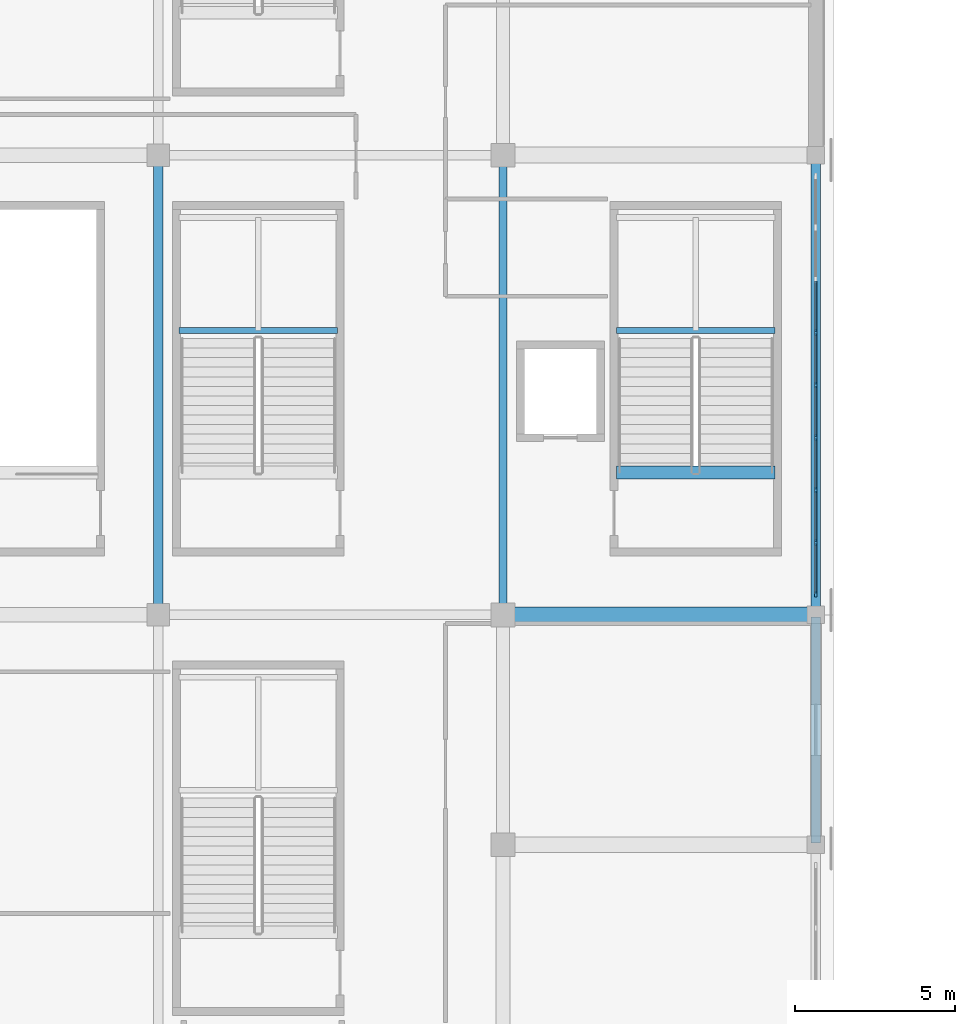
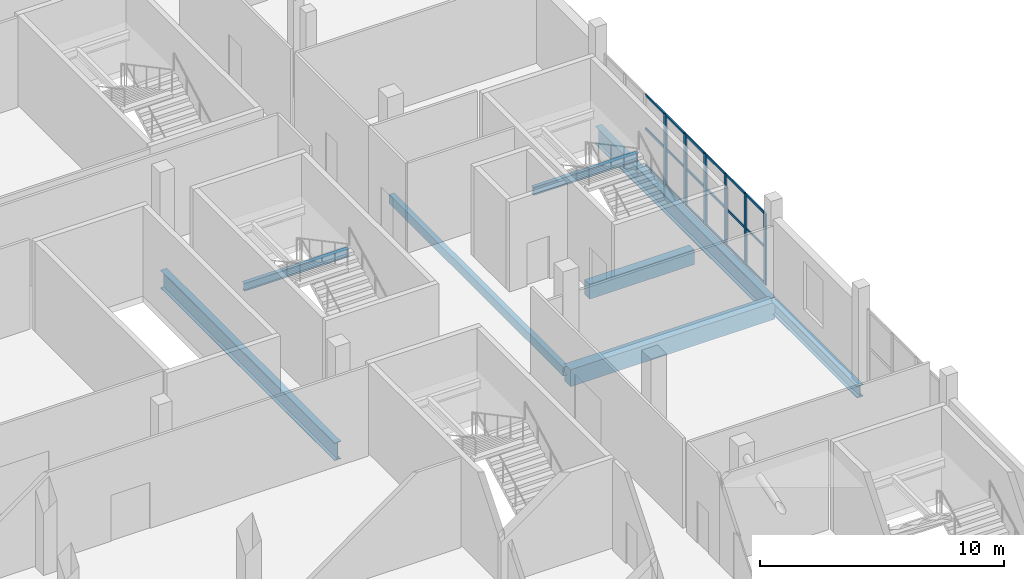
# One storey, part 40 of 129: 24 members, 8 beams, 1 element without a shape of its own.
"""IFC4 building model written with IfcOpenShell, lengths in metres."""

from ifc_helpers import new_model, si_unit, direction, frame, origin, origin_2d, place, context, subcontext, project, spatial, rectangle, hollow_rectangle, i_section, extrude, material, material_profile, profile_set, type_object, element, aggregate, save


model = new_model("IFC4")

# Units and contexts
model_context = context("Model", 3, precision=1e-05, world=origin(), true_north=direction((0.0, 1.0)))
body_context = subcontext(model_context, "Body", "Model", "MODEL_VIEW")
ifc_project = project(units=[si_unit("LENGTHUNIT", "METRE"), si_unit("AREAUNIT", "SQUARE_METRE"), si_unit("VOLUMEUNIT", "CUBIC_METRE"), si_unit("PLANEANGLEUNIT", "RADIAN"), si_unit("MASSUNIT", "GRAM", prefix="KILO")], contexts=[model_context])

# Site, building, storey
site_placement = place(None, origin())
site = spatial("IfcSite", under=ifc_project, at=site_placement, CompositionType="ELEMENT")
building_placement = place(site_placement, origin())
building = spatial("IfcBuilding", under=site, at=building_placement, Name="Koshinbarg Plaza Stadium", CompositionType="ELEMENT")
storey_placement = place(building_placement, frame((0.0, 0.0, 5.39990234375)))
storey = spatial("IfcBuildingStorey", under=building, at=storey_placement, Name="L01", CompositionType="ELEMENT", Elevation=5.39990234375)

# Beams
ifc_material_1 = material(Name="Concrete C40/50", Category="concrete")
ifc_material_profile_1 = material_profile(ifc_material_1, rectangle(XDim=0.39990234375, YDim=0.75, at=origin_2d()), Name="RC 400x750")
ifc_profile_set_1 = profile_set([ifc_material_profile_1], Name="Concrete C40/50")
beam_type_1 = type_object("IfcBeamType", Name="BM-RCG-03", PredefinedType="USERDEFINED", material=ifc_profile_set_1)
beam_1_placement = place(storey_placement, frame((212.14990234375, 58.760009765625, -0.375), z_axis=(1.0, 0.0, 0.0), x_axis=(0.0, 1.0, 0.0)))
element("IfcBeam", 1, at=beam_1_placement, inside=storey, type_object=beam_type_1, Name="L01 stair landing header beam C08", ObjectType="GIRDER", PredefinedType="USERDEFINED", context=body_context, shape_type="SweptSolid", body=[
    extrude(rectangle(XDim=0.39990234375, YDim=0.75, at=origin_2d()), origin(), (0.0, 0.0, 1.0), 4.97021484375),
])
ifc_material_profile_2 = material_profile(ifc_material_1, rectangle(XDim=0.5, YDim=0.85009765625, at=origin_2d()), Name="RC 500x850")
ifc_profile_set_2 = profile_set([ifc_material_profile_2], Name="Concrete C40/50")
beam_type_2 = type_object("IfcBeamType", Name="BM-RCG-05", PredefinedType="USERDEFINED", material=ifc_profile_set_2)
beam_2_placement = place(storey_placement, frame((208.659912109375, 54.300048828125, -0.744873046875), z_axis=(1.0, 0.0, 0.0), x_axis=(0.0, 1.0, 0.0)))
element("IfcBeam", 2, at=beam_2_placement, inside=storey, type_object=beam_type_2, Name="L01 X girder H/20-21", ObjectType="GIRDER", PredefinedType="USERDEFINED", context=body_context, shape_type="SweptSolid", body=[
    extrude(rectangle(XDim=0.5, YDim=0.85009765625, at=origin_2d()), origin(), (0.0, 0.0, 1.0), 9.68017578125),
])
ifc_material_2 = material(Name="Steel S355", Category="steel")
ifc_material_profile_3 = material_profile(ifc_material_2, i_section(OverallWidth=0.179931640625, OverallDepth=0.39990234375, WebThickness=0.008544921875, FlangeThickness=0.013427734375, at=origin_2d()), Name="IPE 400")
ifc_profile_set_3 = profile_set([ifc_material_profile_3], Name="Steel S355")
beam_type_3 = type_object("IfcBeamType", Name="BM-SBM-01", PredefinedType="BEAM", material=ifc_profile_set_3)
beam_3_placement = place(storey_placement, frame((212.14990234375, 63.2099609375, 1.880126953125), z_axis=(1.0, 0.0, 0.0), x_axis=(0.0, 1.0, 0.0)))
element("IfcBeam", 3, at=beam_3_placement, inside=storey, type_object=beam_type_3, Name="L01 Protected Exit Stair C08 landing trimmer beam 1", PredefinedType="BEAM", context=body_context, shape_type="SweptSolid", body=[
    extrude(i_section(OverallWidth=0.179931640625, OverallDepth=0.39990234375, WebThickness=0.008544921875, FlangeThickness=0.013427734375, at=origin_2d()), origin(), (0.0, 0.0, 1.0), 4.97021484375),
])
beam_4_placement = place(storey_placement, frame((198.449951171875, 63.2099609375, 1.880126953125), z_axis=(1.0, 0.0, 0.0), x_axis=(0.0, 1.0, 0.0)))
element("IfcBeam", 4, at=beam_4_placement, inside=storey, type_object=beam_type_3, Name="L01 Upper Vomitory Stair VX09 landing trimmer beam 1", PredefinedType="BEAM", context=body_context, shape_type="SweptSolid", body=[
    extrude(i_section(OverallWidth=0.179931640625, OverallDepth=0.39990234375, WebThickness=0.008544921875, FlangeThickness=0.013427734375, at=origin_2d()), origin(), (0.0, 0.0, 1.0), 4.969970703125),
])
ifc_material_profile_4 = material_profile(ifc_material_2, i_section(OverallWidth=0.300048828125, OverallDepth=0.60009765625, WebThickness=0.015380859375, FlangeThickness=0.030029296875, at=origin_2d()), Name="HEB 600")
ifc_profile_set_4 = profile_set([ifc_material_profile_4], Name="Steel S355")
beam_type_4 = type_object("IfcBeamType", Name="BM-SGIR-02", PredefinedType="USERDEFINED", material=ifc_profile_set_4)
beam_5_placement = place(storey_placement, frame((218.39990234375, 47.159912109375, -0.619873046875), z_axis=(0.0, 1.0, 0.0), x_axis=(-1.0, 0.0, 0.0)))
element("IfcBeam", 5, at=beam_5_placement, inside=storey, type_object=beam_type_4, Name="L01 Y girder 21/G-H", ObjectType="GIRDER", PredefinedType="USERDEFINED", context=body_context, shape_type="SweptSolid", body=[
    extrude(i_section(OverallWidth=0.300048828125, OverallDepth=0.60009765625, WebThickness=0.015380859375, FlangeThickness=0.030029296875, at=origin_2d()), origin(), (0.0, 0.0, 1.0), 7.080078125),
])
ifc_material_profile_5 = material_profile(ifc_material_2, i_section(OverallWidth=0.300048828125, OverallDepth=0.89990234375, WebThickness=0.0185546875, FlangeThickness=0.034912109375, at=origin_2d()), Name="HEB 900")
ifc_profile_set_5 = profile_set([ifc_material_profile_5], Name="Steel S355")
beam_type_5 = type_object("IfcBeamType", Name="BM-SGIR-05", PredefinedType="USERDEFINED", material=ifc_profile_set_5)
for number, where, z_axis, x_axis, name in (
    (6, (197.800048828125, 54.360107421875, -0.77001953125), (0.0, 1.0, 0.0), (-1.0, 0.0, 0.0), "L01 Y girder 19/H-J"),
    (7, (218.39990234375, 54.360107421875, -0.77001953125), (0.0, 1.0, 0.0), (-1.0, 0.0, 0.0), "L01 Y girder 21/H-J"),
):
    element("IfcBeam", number, at=place(storey_placement, frame(where, z_axis=z_axis, x_axis=x_axis)), inside=storey, type_object=beam_type_5, Name=name, ObjectType="GIRDER", PredefinedType="USERDEFINED", context=body_context, shape_type="SweptSolid", body=[
        extrude(i_section(OverallWidth=0.300048828125, OverallDepth=0.89990234375, WebThickness=0.0185546875, FlangeThickness=0.034912109375, at=origin_2d()), origin(), (0.0, 0.0, 1.0), 14.27978515625),
    ])
ifc_material_profile_6 = material_profile(ifc_material_2, hollow_rectangle(XDim=0.25, YDim=0.449951171875, WallThickness=0.01611328125, at=origin_2d()), Name="RHS 450x250x16")
ifc_profile_set_6 = profile_set([ifc_material_profile_6], Name="Steel S355")
beam_type_6 = type_object("IfcBeamType", Name="BM-SGIR-06", PredefinedType="USERDEFINED", material=ifc_profile_set_6)
beam_6_placement = place(storey_placement, frame((208.60009765625, 54.360107421875, -0.544921875), z_axis=(0.0, 1.0, 0.0), x_axis=(-1.0, 0.0, 0.0)))
element("IfcBeam", 8, at=beam_6_placement, inside=storey, type_object=beam_type_6, Name="L01 Y girder 20/H-J", ObjectType="GIRDER", PredefinedType="USERDEFINED", context=body_context, shape_type="SweptSolid", body=[
    extrude(hollow_rectangle(XDim=0.25, YDim=0.449951171875, WallThickness=0.01611328125, at=origin_2d()), origin(), (0.0, 0.0, 1.0), 14.27978515625),
])

# Curtain wall, members
ifc_material_3 = material(Name="Thermally broken anodised aluminium and low-E double glazing", Category="aluminium")
curtain_wall_type = type_object("IfcCurtainWallType", Name="CW-SYS-07", PredefinedType="NOTDEFINED", material=ifc_material_3)
curtain_wall_placement = place(storey_placement, origin())
curtain_wall = element("IfcCurtainWall", 9, at=curtain_wall_placement, inside=storey, type_object=curtain_wall_type, Name="L01 unitised curtain wall CW-L01-022", PredefinedType="NOTDEFINED")
ifc_material_4 = material(Name="Anodised aluminium mullion", Category="aluminium")
ifc_material_profile_7 = material_profile(ifc_material_4, rectangle(XDim=0.070068359375, YDim=0.179931640625, at=origin_2d()), Name="ALU 70x180")
ifc_profile_set_7 = profile_set([ifc_material_profile_7], Name="Anodised aluminium mullion")
member_type_1 = type_object("IfcMemberType", Name="CW-MUL-03", PredefinedType="MULLION", material=ifc_profile_set_7)
member_1_placement = place(storey_placement, frame((218.39990234375, 63.14501953125, 0.0), z_axis=(0.0, 0.0, 1.0), x_axis=(1.0, 0.0, 0.0)))
member_1 = element("IfcMember", 10, at=member_1_placement, type_object=member_type_1, Name="CW07 mullion 4", PredefinedType="MULLION", context=body_context, shape_type="SweptSolid", body=[
    extrude(rectangle(XDim=0.070068359375, YDim=0.179931640625, at=origin_2d()), origin(), (0.0, 0.0, 1.0), 3.580078125),
])
member_2_placement = place(storey_placement, frame((218.39990234375, 61.5, 0.0), z_axis=(0.0, 0.0, 1.0), x_axis=(1.0, 0.0, 0.0)))
member_2 = element("IfcMember", 11, at=member_2_placement, type_object=member_type_1, Name="CW07 mullion 5", PredefinedType="MULLION", context=body_context, shape_type="SweptSolid", body=[
    extrude(rectangle(XDim=0.070068359375, YDim=0.179931640625, at=origin_2d()), origin(), (0.0, 0.0, 1.0), 3.580078125),
])
member_3_placement = place(storey_placement, frame((218.39990234375, 59.85498046875, 0.0), z_axis=(0.0, 0.0, 1.0), x_axis=(1.0, 0.0, 0.0)))
member_3 = element("IfcMember", 12, at=member_3_placement, type_object=member_type_1, Name="CW07 mullion 6", PredefinedType="MULLION", context=body_context, shape_type="SweptSolid", body=[
    extrude(rectangle(XDim=0.070068359375, YDim=0.179931640625, at=origin_2d()), origin(), (0.0, 0.0, 1.0), 3.580078125),
])
member_4_placement = place(storey_placement, frame((218.39990234375, 58.2099609375, 0.0), z_axis=(0.0, 0.0, 1.0), x_axis=(1.0, 0.0, 0.0)))
member_4 = element("IfcMember", 13, at=member_4_placement, type_object=member_type_1, Name="CW07 mullion 7", PredefinedType="MULLION", context=body_context, shape_type="SweptSolid", body=[
    extrude(rectangle(XDim=0.070068359375, YDim=0.179931640625, at=origin_2d()), origin(), (0.0, 0.0, 1.0), 3.580078125),
])
member_5_placement = place(storey_placement, frame((218.39990234375, 56.56494140625, 0.0), z_axis=(0.0, 0.0, 1.0), x_axis=(1.0, 0.0, 0.0)))
member_5 = element("IfcMember", 14, at=member_5_placement, type_object=member_type_1, Name="CW07 mullion 8", PredefinedType="MULLION", context=body_context, shape_type="SweptSolid", body=[
    extrude(rectangle(XDim=0.070068359375, YDim=0.179931640625, at=origin_2d()), origin(), (0.0, 0.0, 1.0), 3.580078125),
])
member_6_placement = place(storey_placement, frame((218.39990234375, 54.949951171875, 0.0), z_axis=(0.0, 0.0, 1.0), x_axis=(1.0, 0.0, 0.0)))
member_6 = element("IfcMember", 15, at=member_6_placement, type_object=member_type_1, Name="CW07 mullion 9", PredefinedType="MULLION", context=body_context, shape_type="SweptSolid", body=[
    extrude(rectangle(XDim=0.070068359375, YDim=0.179931640625, at=origin_2d()), origin(), (0.0, 0.0, 1.0), 3.580078125),
])
ifc_material_5 = material(Name="Anodised aluminium transom", Category="aluminium")
ifc_material_profile_8 = material_profile(ifc_material_5, rectangle(XDim=0.06005859375, YDim=0.110107421875, at=origin_2d()), Name="ALU 60x110")
ifc_profile_set_8 = profile_set([ifc_material_profile_8], Name="Anodised aluminium transom")
member_type_2 = type_object("IfcMemberType", Name="CW-TRN-01", PredefinedType="USERDEFINED", material=ifc_profile_set_8)
member_7_placement = place(storey_placement, frame((218.39990234375, 64.760009765625, 0.030029296875), z_axis=(0.0, -1.0, 0.0), x_axis=(1.0, 0.0, 0.0)))
member_7 = element("IfcMember", 16, at=member_7_placement, type_object=member_type_2, Name="CW07 transom 3.1", ObjectType="TRANSOM", PredefinedType="USERDEFINED", context=body_context, shape_type="SweptSolid", body=[
    extrude(rectangle(XDim=0.06005859375, YDim=0.110107421875, at=origin_2d()), origin(), (0.0, 0.0, 1.0), 1.5849609375),
])
member_8_placement = place(storey_placement, frame((218.39990234375, 64.760009765625, 1.86181640625), z_axis=(0.0, -1.0, 0.0), x_axis=(1.0, 0.0, 0.0)))
member_8 = element("IfcMember", 17, at=member_8_placement, type_object=member_type_2, Name="CW07 transom 3.2", ObjectType="TRANSOM", PredefinedType="USERDEFINED", context=body_context, shape_type="SweptSolid", body=[
    extrude(rectangle(XDim=0.06005859375, YDim=0.110107421875, at=origin_2d()), origin(), (0.0, 0.0, 1.0), 1.5849609375),
])
member_9_placement = place(storey_placement, frame((218.39990234375, 64.760009765625, 3.550048828125), z_axis=(0.0, -1.0, 0.0), x_axis=(1.0, 0.0, 0.0)))
member_9 = element("IfcMember", 18, at=member_9_placement, type_object=member_type_2, Name="CW07 transom 3.3", ObjectType="TRANSOM", PredefinedType="USERDEFINED", context=body_context, shape_type="SweptSolid", body=[
    extrude(rectangle(XDim=0.06005859375, YDim=0.110107421875, at=origin_2d()), origin(), (0.0, 0.0, 1.0), 1.5849609375),
])
member_10_placement = place(storey_placement, frame((218.39990234375, 63.114990234375, 0.030029296875), z_axis=(0.0, -1.0, 0.0), x_axis=(1.0, 0.0, 0.0)))
member_10 = element("IfcMember", 19, at=member_10_placement, type_object=member_type_2, Name="CW07 transom 4.1", ObjectType="TRANSOM", PredefinedType="USERDEFINED", context=body_context, shape_type="SweptSolid", body=[
    extrude(rectangle(XDim=0.06005859375, YDim=0.110107421875, at=origin_2d()), origin(), (0.0, 0.0, 1.0), 1.5849609375),
])
member_11_placement = place(storey_placement, frame((218.39990234375, 63.114990234375, 1.86181640625), z_axis=(0.0, -1.0, 0.0), x_axis=(1.0, 0.0, 0.0)))
member_11 = element("IfcMember", 20, at=member_11_placement, type_object=member_type_2, Name="CW07 transom 4.2", ObjectType="TRANSOM", PredefinedType="USERDEFINED", context=body_context, shape_type="SweptSolid", body=[
    extrude(rectangle(XDim=0.06005859375, YDim=0.110107421875, at=origin_2d()), origin(), (0.0, 0.0, 1.0), 1.5849609375),
])
member_12_placement = place(storey_placement, frame((218.39990234375, 63.114990234375, 3.550048828125), z_axis=(0.0, -1.0, 0.0), x_axis=(1.0, 0.0, 0.0)))
member_12 = element("IfcMember", 21, at=member_12_placement, type_object=member_type_2, Name="CW07 transom 4.3", ObjectType="TRANSOM", PredefinedType="USERDEFINED", context=body_context, shape_type="SweptSolid", body=[
    extrude(rectangle(XDim=0.06005859375, YDim=0.110107421875, at=origin_2d()), origin(), (0.0, 0.0, 1.0), 1.5849609375),
])
member_13_placement = place(storey_placement, frame((218.39990234375, 61.469970703125, 0.030029296875), z_axis=(0.0, -1.0, 0.0), x_axis=(1.0, 0.0, 0.0)))
member_13 = element("IfcMember", 22, at=member_13_placement, type_object=member_type_2, Name="CW07 transom 5.1", ObjectType="TRANSOM", PredefinedType="USERDEFINED", context=body_context, shape_type="SweptSolid", body=[
    extrude(rectangle(XDim=0.06005859375, YDim=0.110107421875, at=origin_2d()), origin(), (0.0, 0.0, 1.0), 1.5849609375),
])
member_14_placement = place(storey_placement, frame((218.39990234375, 61.469970703125, 1.86181640625), z_axis=(0.0, -1.0, 0.0), x_axis=(1.0, 0.0, 0.0)))
member_14 = element("IfcMember", 23, at=member_14_placement, type_object=member_type_2, Name="CW07 transom 5.2", ObjectType="TRANSOM", PredefinedType="USERDEFINED", context=body_context, shape_type="SweptSolid", body=[
    extrude(rectangle(XDim=0.06005859375, YDim=0.110107421875, at=origin_2d()), origin(), (0.0, 0.0, 1.0), 1.5849609375),
])
member_15_placement = place(storey_placement, frame((218.39990234375, 61.469970703125, 3.550048828125), z_axis=(0.0, -1.0, 0.0), x_axis=(1.0, 0.0, 0.0)))
member_15 = element("IfcMember", 24, at=member_15_placement, type_object=member_type_2, Name="CW07 transom 5.3", ObjectType="TRANSOM", PredefinedType="USERDEFINED", context=body_context, shape_type="SweptSolid", body=[
    extrude(rectangle(XDim=0.06005859375, YDim=0.110107421875, at=origin_2d()), origin(), (0.0, 0.0, 1.0), 1.5849609375),
])
member_16_placement = place(storey_placement, frame((218.39990234375, 59.824951171875, 0.030029296875), z_axis=(0.0, -1.0, 0.0), x_axis=(1.0, 0.0, 0.0)))
member_16 = element("IfcMember", 25, at=member_16_placement, type_object=member_type_2, Name="CW07 transom 6.1", ObjectType="TRANSOM", PredefinedType="USERDEFINED", context=body_context, shape_type="SweptSolid", body=[
    extrude(rectangle(XDim=0.06005859375, YDim=0.110107421875, at=origin_2d()), origin(), (0.0, 0.0, 1.0), 1.5849609375),
])
member_17_placement = place(storey_placement, frame((218.39990234375, 59.824951171875, 1.86181640625), z_axis=(0.0, -1.0, 0.0), x_axis=(1.0, 0.0, 0.0)))
member_17 = element("IfcMember", 26, at=member_17_placement, type_object=member_type_2, Name="CW07 transom 6.2", ObjectType="TRANSOM", PredefinedType="USERDEFINED", context=body_context, shape_type="SweptSolid", body=[
    extrude(rectangle(XDim=0.06005859375, YDim=0.110107421875, at=origin_2d()), origin(), (0.0, 0.0, 1.0), 1.5849609375),
])
member_18_placement = place(storey_placement, frame((218.39990234375, 59.824951171875, 3.550048828125), z_axis=(0.0, -1.0, 0.0), x_axis=(1.0, 0.0, 0.0)))
member_18 = element("IfcMember", 27, at=member_18_placement, type_object=member_type_2, Name="CW07 transom 6.3", ObjectType="TRANSOM", PredefinedType="USERDEFINED", context=body_context, shape_type="SweptSolid", body=[
    extrude(rectangle(XDim=0.06005859375, YDim=0.110107421875, at=origin_2d()), origin(), (0.0, 0.0, 1.0), 1.5849609375),
])
member_19_placement = place(storey_placement, frame((218.39990234375, 58.179931640625, 0.030029296875), z_axis=(0.0, -1.0, 0.0), x_axis=(1.0, 0.0, 0.0)))
member_19 = element("IfcMember", 28, at=member_19_placement, type_object=member_type_2, Name="CW07 transom 7.1", ObjectType="TRANSOM", PredefinedType="USERDEFINED", context=body_context, shape_type="SweptSolid", body=[
    extrude(rectangle(XDim=0.06005859375, YDim=0.110107421875, at=origin_2d()), origin(), (0.0, 0.0, 1.0), 1.5849609375),
])
member_20_placement = place(storey_placement, frame((218.39990234375, 58.179931640625, 1.86181640625), z_axis=(0.0, -1.0, 0.0), x_axis=(1.0, 0.0, 0.0)))
member_20 = element("IfcMember", 29, at=member_20_placement, type_object=member_type_2, Name="CW07 transom 7.2", ObjectType="TRANSOM", PredefinedType="USERDEFINED", context=body_context, shape_type="SweptSolid", body=[
    extrude(rectangle(XDim=0.06005859375, YDim=0.110107421875, at=origin_2d()), origin(), (0.0, 0.0, 1.0), 1.5849609375),
])
member_21_placement = place(storey_placement, frame((218.39990234375, 58.179931640625, 3.550048828125), z_axis=(0.0, -1.0, 0.0), x_axis=(1.0, 0.0, 0.0)))
member_21 = element("IfcMember", 30, at=member_21_placement, type_object=member_type_2, Name="CW07 transom 7.3", ObjectType="TRANSOM", PredefinedType="USERDEFINED", context=body_context, shape_type="SweptSolid", body=[
    extrude(rectangle(XDim=0.06005859375, YDim=0.110107421875, at=origin_2d()), origin(), (0.0, 0.0, 1.0), 1.5849609375),
])
member_22_placement = place(storey_placement, frame((218.39990234375, 56.534912109375, 0.030029296875), z_axis=(0.0, -1.0, 0.0), x_axis=(1.0, 0.0, 0.0)))
member_22 = element("IfcMember", 31, at=member_22_placement, type_object=member_type_2, Name="CW07 transom 8.1", ObjectType="TRANSOM", PredefinedType="USERDEFINED", context=body_context, shape_type="SweptSolid", body=[
    extrude(rectangle(XDim=0.06005859375, YDim=0.110107421875, at=origin_2d()), origin(), (0.0, 0.0, 1.0), 1.554931640625),
])
member_23_placement = place(storey_placement, frame((218.39990234375, 56.534912109375, 1.86181640625), z_axis=(0.0, -1.0, 0.0), x_axis=(1.0, 0.0, 0.0)))
member_23 = element("IfcMember", 32, at=member_23_placement, type_object=member_type_2, Name="CW07 transom 8.2", ObjectType="TRANSOM", PredefinedType="USERDEFINED", context=body_context, shape_type="SweptSolid", body=[
    extrude(rectangle(XDim=0.06005859375, YDim=0.110107421875, at=origin_2d()), origin(), (0.0, 0.0, 1.0), 1.554931640625),
])
member_24_placement = place(storey_placement, frame((218.39990234375, 56.534912109375, 3.550048828125), z_axis=(0.0, -1.0, 0.0), x_axis=(1.0, 0.0, 0.0)))
member_24 = element("IfcMember", 33, at=member_24_placement, type_object=member_type_2, Name="CW07 transom 8.3", ObjectType="TRANSOM", PredefinedType="USERDEFINED", context=body_context, shape_type="SweptSolid", body=[
    extrude(rectangle(XDim=0.06005859375, YDim=0.110107421875, at=origin_2d()), origin(), (0.0, 0.0, 1.0), 1.554931640625),
])
aggregate(curtain_wall, [member_1, member_2, member_3, member_4, member_5, member_6, member_7, member_8, member_9, member_10, member_11, member_12, member_13, member_14, member_15, member_16, member_17, member_18, member_19, member_20, member_21, member_22, member_23, member_24])

save(model, "model.ifc")
